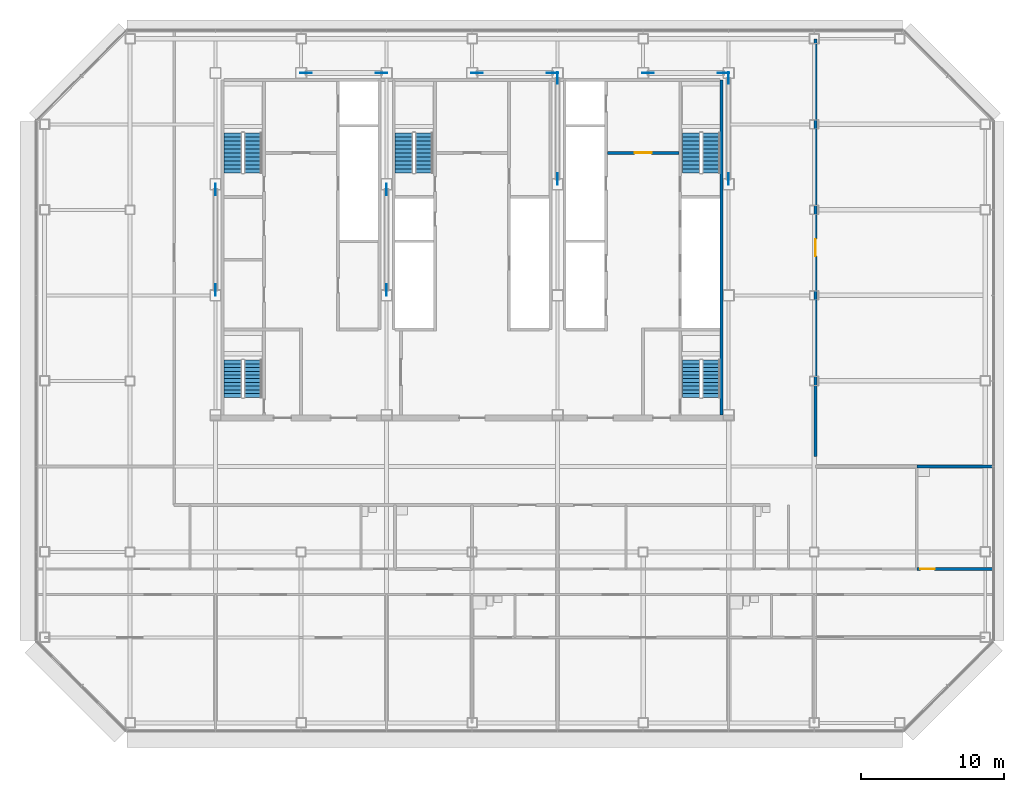
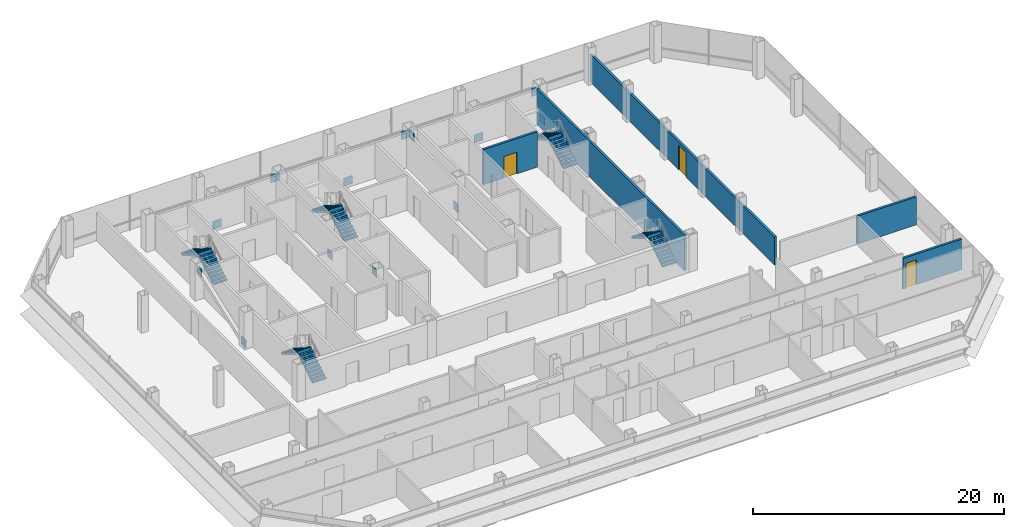
# One storey, part 22 of 24: 14 discrete accessories, 10 stair flights, 5 walls, 3 doors, 3 openings, 5 elements without a shape of their own.
"""IFC4 building model written with IfcOpenShell, lengths in metres."""

from ifc_helpers import new_model, si_unit, direction, frame, frame_2d, origin, origin_2d, place, context, subcontext, project, spatial, polyline, rectangle, outline, extrude, material, layer, layer_set, type_object, element, fill, aggregate, save


model = new_model("IFC4")

# Units and contexts
model_context = context("Model", 3, precision=1e-05, world=origin(), true_north=direction((0.0, 1.0)))
body_context = subcontext(model_context, "Body", "Model", "MODEL_VIEW")
ifc_project = project(units=[si_unit("LENGTHUNIT", "METRE"), si_unit("AREAUNIT", "SQUARE_METRE"), si_unit("VOLUMEUNIT", "CUBIC_METRE"), si_unit("PLANEANGLEUNIT", "RADIAN"), si_unit("MASSUNIT", "GRAM", prefix="KILO")], contexts=[model_context])

# Site, building, storey
site_placement = place(None, origin())
site = spatial("IfcSite", under=ifc_project, at=site_placement, CompositionType="ELEMENT")
building_placement = place(site_placement, origin())
building = spatial("IfcBuilding", under=site, at=building_placement, Name="Sorahane Residences", CompositionType="ELEMENT")
storey_placement = place(building_placement, frame((0.0, 0.0, 174.39990234375)))
storey = spatial("IfcBuildingStorey", under=building, at=storey_placement, Name="L40", CompositionType="ELEMENT", Elevation=174.39990234375)

# Wall
ifc_material_1 = material(Name="Concrete C30", Category="concrete")
ifc_layer_1 = layer(ifc_material_1, 0.199951171875)
ifc_layer_set_1 = layer_set([ifc_layer_1], Name="Core face wall 200 EI 180")
wall_type_1 = type_object("IfcWallType", Name="Core face wall 200 EI 180", PredefinedType="SOLIDWALL", material=ifc_layer_set_1)
wall_1_placement = place(storey_placement, frame((41.5, 21.60009765625, 0.0), z_axis=(0.0, 0.0, 1.0), x_axis=(0.0, 1.0, 0.0)))
element("IfcWall", 1, at=wall_1_placement, inside=storey, type_object=wall_type_1, Name="L40 core face wall", PredefinedType="SOLIDWALL", context=body_context, shape_type="SweptSolid", body=[
    extrude(rectangle(XDim=23.5, YDim=0.199951171875, at=frame_2d((11.75, 0.0))), origin(), (0.0, 0.0, 1.0), 3.420166015625),
])

# Wall, opening, door
ifc_material_2 = material(Name="Concrete blockwork C20 wall", Category="masonry")
ifc_layer_2 = layer(ifc_material_2, 0.199951171875)
ifc_layer_set_2 = layer_set([ifc_layer_2], Name="Corridor wall 200 EI 120")
wall_type_2 = type_object("IfcWallType", Name="Corridor wall 200 EI 120", PredefinedType="SOLIDWALL", material=ifc_layer_set_2)
wall_2_placement = place(storey_placement, frame((48.10009765625, 18.699951171875, 0.0), z_axis=(0.0, 0.0, 1.0), x_axis=(0.0, 1.0, 0.0)))
wall_2 = element("IfcWall", 2, at=wall_2_placement, inside=storey, type_object=wall_type_2, Name="L40 corridor wall", PredefinedType="SOLIDWALL", context=body_context, shape_type="SweptSolid", body=[
    extrude(rectangle(XDim=29.300048828125, YDim=0.199951171875, at=frame_2d((14.64990234375, 0.0))), origin(), (0.0, 0.0, 1.0), 2.72021484375),
])
opening_1_placement = place(wall_2_placement, frame((14.050048828125, 0.0, 0.0)))
opening_1 = element("IfcOpeningElement", 3, at=opening_1_placement, cuts=wall_2, Name="Opening L40-29", PredefinedType="OPENING", context=body_context, shape_type="SweptSolid", body=[
    extrude(rectangle(XDim=1.199951171875, YDim=2.39990234375, at=frame_2d((0.60009765625, 1.199951171875))), frame((0.0, 0.10986328125, 0.0), z_axis=(0.0, -1.0, 0.0), x_axis=(1.0, 0.0, 0.0)), (0.0, 0.0, 1.0), 0.219970703125),
])
ifc_material_3 = material(Name="Steel", Category="steel")
door_type_1 = type_object("IfcDoorType", Name="Lobby door 1200x2400 FD60", OperationType="NOTDEFINED", PredefinedType="DOOR", material=ifc_material_3)
door_1_placement = place(opening_1_placement, frame((1.199951171875, 0.0, 0.0), z_axis=(0.0, 0.0, 1.0), x_axis=(-1.0, 0.0, 0.0)))
door_1 = element("IfcDoor", 4, at=door_1_placement, inside=storey, type_object=door_type_1, Name="Lobby door L40-29", OperationType="SINGLE_SWING_RIGHT", OverallHeight=2.39990234375, OverallWidth=1.199951171875, PredefinedType="DOOR", context=body_context, shape_type="SweptSolid", body=[
    extrude(rectangle(XDim=1.199951171875, YDim=2.39990234375, at=frame_2d((0.60009765625, 1.199951171875))), frame((0.0, 0.02490234375, 0.0), z_axis=(0.0, -1.0, 0.0), x_axis=(1.0, 0.0, 0.0)), (0.0, 0.0, 1.0), 0.050048828125),
])
fill(opening_1, door_1)

ifc_material_4 = material(Name="Concrete C30", Category="concrete")
ifc_layer_3 = layer(ifc_material_4, 0.199951171875)
ifc_layer_set_3 = layer_set([ifc_layer_3], Name="Front room wall 200 EI 120")
wall_type_3 = type_object("IfcWallType", Name="Front room wall 200 EI 120", PredefinedType="PARTITIONING", material=ifc_layer_set_3)
wall_3_placement = place(storey_placement, frame((33.5, 40.0, 0.0), z_axis=(0.0, 0.0, 1.0), x_axis=(1.0, 0.0, 0.0)))
wall_3 = element("IfcWall", 5, at=wall_3_placement, inside=storey, type_object=wall_type_3, Name="L40 front room wall", PredefinedType="PARTITIONING", context=body_context, shape_type="SweptSolid", body=[
    extrude(rectangle(XDim=5.0, YDim=0.199951171875, at=frame_2d((2.5, 0.0))), origin(), (0.0, 0.0, 1.0), 3.420166015625),
])
opening_2_placement = place(wall_3_placement, frame((1.89990234375, 0.0, 0.0)))
opening_2 = element("IfcOpeningElement", 6, at=opening_2_placement, cuts=wall_3, Name="Opening L40-C09", PredefinedType="OPENING", context=body_context, shape_type="SweptSolid", body=[
    extrude(rectangle(XDim=1.199951171875, YDim=2.10009765625, at=frame_2d((0.60009765625, 1.050048828125))), frame((0.0, 0.10986328125, 0.0), z_axis=(0.0, -1.0, 0.0), x_axis=(1.0, 0.0, 0.0)), (0.0, 0.0, 1.0), 0.219970703125),
])
ifc_material_5 = material(Name="Steel", Category="steel")
door_type_2 = type_object("IfcDoorType", Name="Front room door 1200x2100 FD120", OperationType="NOTDEFINED", PredefinedType="DOOR", material=ifc_material_5)
door_2_placement = place(opening_2_placement, frame((1.199951171875, 0.0, 0.0), z_axis=(0.0, 0.0, 1.0), x_axis=(-1.0, 0.0, 0.0)))
door_2 = element("IfcDoor", 7, at=door_2_placement, inside=storey, type_object=door_type_2, Name="Front room door Firefighting lobby FF2 front room L40", OperationType="DOUBLE_DOOR_SINGLE_SWING", OverallHeight=2.10009765625, OverallWidth=1.199951171875, PredefinedType="DOOR", context=body_context, shape_type="SweptSolid", body=[
    extrude(rectangle(XDim=1.199951171875, YDim=2.10009765625, at=frame_2d((0.60009765625, 1.050048828125))), frame((0.0, 0.02490234375, 0.0), z_axis=(0.0, -1.0, 0.0), x_axis=(1.0, 0.0, 0.0)), (0.0, 0.0, 1.0), 0.050048828125),
])
fill(opening_2, door_2)

ifc_material_6 = material(Name="Concrete blockwork C20 wall", Category="masonry")
ifc_layer_4 = layer(ifc_material_6, 0.199951171875)
ifc_layer_set_4 = layer_set([ifc_layer_4], Name="Kitchen wall 200 EI 180")
wall_type_4 = type_object("IfcWallType", Name="Kitchen wall 200 EI 180", PredefinedType="SOLIDWALL", material=ifc_layer_set_4)
wall_4_placement = place(storey_placement, frame((55.199951171875, 10.800048828125, 0.0), z_axis=(0.0, 0.0, 1.0), x_axis=(1.0, 0.0, 0.0)))
wall_4 = element("IfcWall", 8, at=wall_4_placement, inside=storey, type_object=wall_type_4, Name="L40 kitchen wall", PredefinedType="SOLIDWALL", context=body_context, shape_type="SweptSolid", body=[
    extrude(rectangle(XDim=5.400146484375, YDim=0.199951171875, at=frame_2d((2.7001953125, 0.0))), origin(), (0.0, 0.0, 1.0), 2.97021484375),
])
opening_3_placement = place(wall_4_placement, frame((0.25, 0.0, 0.0)))
opening_3 = element("IfcOpeningElement", 9, at=opening_3_placement, cuts=wall_4, Name="Opening L40-18", PredefinedType="OPENING", context=body_context, shape_type="SweptSolid", body=[
    extrude(rectangle(XDim=1.0, YDim=2.39990234375, at=frame_2d((0.5, 1.199951171875))), frame((0.0, 0.10986328125, 0.0), z_axis=(0.0, -1.0, 0.0), x_axis=(1.0, 0.0, 0.0)), (0.0, 0.0, 1.0), 0.219970703125),
])
ifc_material_7 = material(Name="Steel", Category="steel")
door_type_3 = type_object("IfcDoorType", Name="Kitchen door 1000x2400 FD120", OperationType="NOTDEFINED", PredefinedType="DOOR", material=ifc_material_7)
door_3_placement = place(opening_3_placement, origin())
door_3 = element("IfcDoor", 10, at=door_3_placement, inside=storey, type_object=door_type_3, Name="Kitchen door L40-18", OperationType="SINGLE_SWING_RIGHT", OverallHeight=2.39990234375, OverallWidth=1.0, PredefinedType="DOOR", context=body_context, shape_type="SweptSolid", body=[
    extrude(rectangle(XDim=1.0, YDim=2.39990234375, at=frame_2d((0.5, 1.199951171875))), frame((0.0, 0.02490234375, 0.0), z_axis=(0.0, -1.0, 0.0), x_axis=(1.0, 0.0, 0.0)), (0.0, 0.0, 1.0), 0.050048828125),
])
fill(opening_3, door_3)

# Wall
wall_5_placement = place(storey_placement, frame((55.199951171875, 18.0, 0.0), z_axis=(0.0, 0.0, 1.0), x_axis=(1.0, 0.0, 0.0)))
element("IfcWall", 11, at=wall_5_placement, inside=storey, type_object=wall_type_4, Name="L40 kitchen wall", PredefinedType="SOLIDWALL", context=body_context, shape_type="SweptSolid", body=[
    extrude(rectangle(XDim=5.400146484375, YDim=0.199951171875, at=frame_2d((2.7001953125, 0.0))), origin(), (0.0, 0.0, 1.0), 2.72021484375),
])

# Stair, stair flights
ifc_material_8 = material(Name="Concrete C40", Category="concrete")
stair_type = type_object("IfcStairType", Name="Dog-leg stair 1250 Concrete C40", PredefinedType="HALF_TURN_STAIR", material=ifc_material_8)
stair_1_placement = place(storey_placement, origin())
stair_1 = element("IfcStair", 12, at=stair_1_placement, inside=storey, type_object=stair_type, Name="L40 Stair S1", PredefinedType="HALF_TURN_STAIR")
ifc_material_9 = material(Name="Concrete C40", Category="concrete")
stair_flight_type = type_object("IfcStairFlightType", Name="Stair flight 1250 Concrete C40", PredefinedType="STRAIGHT", material=ifc_material_9)
stair_flight_1_placement = place(storey_placement, frame((8.625, 38.60009765625, 0.0), z_axis=(0.0, 0.0, 1.0), x_axis=(0.0, 1.0, 0.0)))
stair_flight_1 = element("IfcStairFlight", 13, at=stair_flight_1_placement, type_object=stair_flight_type, Name="S1 flight 1", NumberOfRisers=11, NumberOfTreads=10, PredefinedType="STRAIGHT", RiserHeight=0.163636364, TreadLength=0.28, context=body_context, shape_type="SweptSolid", body=[
    extrude(outline(polyline([(-0.00146484375, 0.0), (-0.00146484375, 0.16357421875), (0.0, 0.16357421875), (0.280029296875, 0.16357421875), (0.280029296875, 0.327392578125), (0.56005859375, 0.327392578125), (0.56005859375, 0.490966796875), (0.840087890625, 0.490966796875), (0.840087890625, 0.654541015625), (1.1201171875, 0.654541015625), (1.1201171875, 0.818115234375), (1.39990234375, 0.818115234375), (1.39990234375, 0.98193359375), (1.679931640625, 0.98193359375), (1.679931640625, 1.1455078125), (1.9599609375, 1.1455078125), (1.9599609375, 1.30908203125), (2.239990234375, 1.30908203125), (2.239990234375, 1.47265625), (2.52001953125, 1.47265625), (2.52001953125, 1.636474609375), (2.800048828125, 1.636474609375), (2.800048828125, 1.800048828125), (2.800048828125, 1.462646484375), (2.59130859375, 1.3408203125), (2.3828125, 1.218994140625), (2.17431640625, 1.09716796875), (1.965576171875, 0.97509765625), (1.757080078125, 0.853271484375), (1.548583984375, 0.7314453125), (1.340087890625, 0.609375), (1.13134765625, 0.487548828125), (0.9228515625, 0.36572265625), (0.71435546875, 0.243896484375), (0.505615234375, 0.121826171875), (0.297119140625, 0.0), (-0.00146484375, 0.0)])), frame((0.0, 0.625, 0.0), z_axis=(0.0, -1.0, 0.0), x_axis=(1.0, 0.0, 0.0)), (0.0, 0.0, 1.0), 1.25),
])
stair_flight_2_placement = place(storey_placement, frame((7.22509765625, 41.39990234375, 1.800048828125), z_axis=(0.0, 0.0, 1.0), x_axis=(0.0, -1.0, 0.0)))
stair_flight_2 = element("IfcStairFlight", 14, at=stair_flight_2_placement, type_object=stair_flight_type, Name="S1 flight 2", NumberOfRisers=11, NumberOfTreads=10, PredefinedType="STRAIGHT", RiserHeight=0.163636364, TreadLength=0.28, context=body_context, shape_type="SweptSolid", body=[
    extrude(outline(polyline([(0.0, 0.0), (0.0, 0.16357421875), (0.280029296875, 0.16357421875), (0.280029296875, 0.327392578125), (0.56005859375, 0.327392578125), (0.56005859375, 0.490966796875), (0.840087890625, 0.490966796875), (0.840087890625, 0.654541015625), (1.1201171875, 0.654541015625), (1.1201171875, 0.818115234375), (1.39990234375, 0.818115234375), (1.39990234375, 0.98193359375), (1.679931640625, 0.98193359375), (1.679931640625, 1.1455078125), (1.9599609375, 1.1455078125), (1.9599609375, 1.30908203125), (2.239990234375, 1.30908203125), (2.239990234375, 1.47265625), (2.52001953125, 1.47265625), (2.52001953125, 1.636474609375), (2.800048828125, 1.636474609375), (2.800048828125, 1.800048828125), (2.801513671875, 1.800048828125), (2.801513671875, 1.462646484375), (2.5927734375, 1.3408203125), (2.384033203125, 1.218994140625), (2.17529296875, 1.09716796875), (1.966796875, 0.97509765625), (1.758056640625, 0.853271484375), (1.54931640625, 0.7314453125), (1.340576171875, 0.609375), (1.1318359375, 0.487548828125), (0.923095703125, 0.36572265625), (0.714599609375, 0.243896484375), (0.505859375, 0.121826171875), (0.297119140625, 0.0), (0.0, 0.0)])), frame((0.0, 0.625, 0.0), z_axis=(0.0, -1.0, 0.0), x_axis=(1.0, 0.0, 0.0)), (0.0, 0.0, 1.0), 1.25),
])
aggregate(stair_1, [stair_flight_1, stair_flight_2])

stair_2_placement = place(storey_placement, origin())
stair_2 = element("IfcStair", 15, at=stair_2_placement, inside=storey, type_object=stair_type, Name="L40 Stair S2", PredefinedType="HALF_TURN_STAIR")
stair_flight_3_placement = place(storey_placement, frame((40.77490234375, 38.60009765625, 0.0), z_axis=(0.0, 0.0, 1.0), x_axis=(0.0, 1.0, 0.0)))
stair_flight_3 = element("IfcStairFlight", 16, at=stair_flight_3_placement, type_object=stair_flight_type, Name="S2 flight 1", NumberOfRisers=11, NumberOfTreads=10, PredefinedType="STRAIGHT", RiserHeight=0.163636364, TreadLength=0.28, context=body_context, shape_type="SweptSolid", body=[
    extrude(outline(polyline([(-0.00146484375, 0.0), (-0.00146484375, 0.16357421875), (0.0, 0.16357421875), (0.280029296875, 0.16357421875), (0.280029296875, 0.327392578125), (0.56005859375, 0.327392578125), (0.56005859375, 0.490966796875), (0.840087890625, 0.490966796875), (0.840087890625, 0.654541015625), (1.1201171875, 0.654541015625), (1.1201171875, 0.818115234375), (1.39990234375, 0.818115234375), (1.39990234375, 0.98193359375), (1.679931640625, 0.98193359375), (1.679931640625, 1.1455078125), (1.9599609375, 1.1455078125), (1.9599609375, 1.30908203125), (2.239990234375, 1.30908203125), (2.239990234375, 1.47265625), (2.52001953125, 1.47265625), (2.52001953125, 1.636474609375), (2.800048828125, 1.636474609375), (2.800048828125, 1.800048828125), (2.800048828125, 1.462646484375), (2.59130859375, 1.3408203125), (2.3828125, 1.218994140625), (2.17431640625, 1.09716796875), (1.965576171875, 0.97509765625), (1.757080078125, 0.853271484375), (1.548583984375, 0.7314453125), (1.340087890625, 0.609375), (1.13134765625, 0.487548828125), (0.9228515625, 0.36572265625), (0.71435546875, 0.243896484375), (0.505615234375, 0.121826171875), (0.297119140625, 0.0), (-0.00146484375, 0.0)])), frame((0.0, 0.625, 0.0), z_axis=(0.0, -1.0, 0.0), x_axis=(1.0, 0.0, 0.0)), (0.0, 0.0, 1.0), 1.25),
])
stair_flight_4_placement = place(storey_placement, frame((39.375, 41.39990234375, 1.800048828125), z_axis=(0.0, 0.0, 1.0), x_axis=(0.0, -1.0, 0.0)))
stair_flight_4 = element("IfcStairFlight", 17, at=stair_flight_4_placement, type_object=stair_flight_type, Name="S2 flight 2", NumberOfRisers=11, NumberOfTreads=10, PredefinedType="STRAIGHT", RiserHeight=0.163636364, TreadLength=0.28, context=body_context, shape_type="SweptSolid", body=[
    extrude(outline(polyline([(0.0, 0.0), (0.0, 0.16357421875), (0.280029296875, 0.16357421875), (0.280029296875, 0.327392578125), (0.56005859375, 0.327392578125), (0.56005859375, 0.490966796875), (0.840087890625, 0.490966796875), (0.840087890625, 0.654541015625), (1.1201171875, 0.654541015625), (1.1201171875, 0.818115234375), (1.39990234375, 0.818115234375), (1.39990234375, 0.98193359375), (1.679931640625, 0.98193359375), (1.679931640625, 1.1455078125), (1.9599609375, 1.1455078125), (1.9599609375, 1.30908203125), (2.239990234375, 1.30908203125), (2.239990234375, 1.47265625), (2.52001953125, 1.47265625), (2.52001953125, 1.636474609375), (2.800048828125, 1.636474609375), (2.800048828125, 1.800048828125), (2.801513671875, 1.800048828125), (2.801513671875, 1.462646484375), (2.5927734375, 1.3408203125), (2.384033203125, 1.218994140625), (2.17529296875, 1.09716796875), (1.966796875, 0.97509765625), (1.758056640625, 0.853271484375), (1.54931640625, 0.7314453125), (1.340576171875, 0.609375), (1.1318359375, 0.487548828125), (0.923095703125, 0.36572265625), (0.714599609375, 0.243896484375), (0.505859375, 0.121826171875), (0.297119140625, 0.0), (0.0, 0.0)])), frame((0.0, 0.625, 0.0), z_axis=(0.0, -1.0, 0.0), x_axis=(1.0, 0.0, 0.0)), (0.0, 0.0, 1.0), 1.25),
])
aggregate(stair_2, [stair_flight_3, stair_flight_4])

stair_3_placement = place(storey_placement, origin())
stair_3 = element("IfcStair", 18, at=stair_3_placement, inside=storey, type_object=stair_type, Name="L40 Stair S3", PredefinedType="HALF_TURN_STAIR")
stair_flight_5_placement = place(storey_placement, frame((20.625, 38.60009765625, 0.0), z_axis=(0.0, 0.0, 1.0), x_axis=(0.0, 1.0, 0.0)))
stair_flight_5 = element("IfcStairFlight", 19, at=stair_flight_5_placement, type_object=stair_flight_type, Name="S3 flight 1", NumberOfRisers=11, NumberOfTreads=10, PredefinedType="STRAIGHT", RiserHeight=0.163636364, TreadLength=0.28, context=body_context, shape_type="SweptSolid", body=[
    extrude(outline(polyline([(-0.00146484375, 0.0), (-0.00146484375, 0.16357421875), (0.0, 0.16357421875), (0.280029296875, 0.16357421875), (0.280029296875, 0.327392578125), (0.56005859375, 0.327392578125), (0.56005859375, 0.490966796875), (0.840087890625, 0.490966796875), (0.840087890625, 0.654541015625), (1.1201171875, 0.654541015625), (1.1201171875, 0.818115234375), (1.39990234375, 0.818115234375), (1.39990234375, 0.98193359375), (1.679931640625, 0.98193359375), (1.679931640625, 1.1455078125), (1.9599609375, 1.1455078125), (1.9599609375, 1.30908203125), (2.239990234375, 1.30908203125), (2.239990234375, 1.47265625), (2.52001953125, 1.47265625), (2.52001953125, 1.636474609375), (2.800048828125, 1.636474609375), (2.800048828125, 1.800048828125), (2.800048828125, 1.462646484375), (2.59130859375, 1.3408203125), (2.3828125, 1.218994140625), (2.17431640625, 1.09716796875), (1.965576171875, 0.97509765625), (1.757080078125, 0.853271484375), (1.548583984375, 0.7314453125), (1.340087890625, 0.609375), (1.13134765625, 0.487548828125), (0.9228515625, 0.36572265625), (0.71435546875, 0.243896484375), (0.505615234375, 0.121826171875), (0.297119140625, 0.0), (-0.00146484375, 0.0)])), frame((0.0, 0.625, 0.0), z_axis=(0.0, -1.0, 0.0), x_axis=(1.0, 0.0, 0.0)), (0.0, 0.0, 1.0), 1.25),
])
stair_flight_6_placement = place(storey_placement, frame((19.22509765625, 41.39990234375, 1.800048828125), z_axis=(0.0, 0.0, 1.0), x_axis=(0.0, -1.0, 0.0)))
stair_flight_6 = element("IfcStairFlight", 20, at=stair_flight_6_placement, type_object=stair_flight_type, Name="S3 flight 2", NumberOfRisers=11, NumberOfTreads=10, PredefinedType="STRAIGHT", RiserHeight=0.163636364, TreadLength=0.28, context=body_context, shape_type="SweptSolid", body=[
    extrude(outline(polyline([(0.0, 0.0), (0.0, 0.16357421875), (0.280029296875, 0.16357421875), (0.280029296875, 0.327392578125), (0.56005859375, 0.327392578125), (0.56005859375, 0.490966796875), (0.840087890625, 0.490966796875), (0.840087890625, 0.654541015625), (1.1201171875, 0.654541015625), (1.1201171875, 0.818115234375), (1.39990234375, 0.818115234375), (1.39990234375, 0.98193359375), (1.679931640625, 0.98193359375), (1.679931640625, 1.1455078125), (1.9599609375, 1.1455078125), (1.9599609375, 1.30908203125), (2.239990234375, 1.30908203125), (2.239990234375, 1.47265625), (2.52001953125, 1.47265625), (2.52001953125, 1.636474609375), (2.800048828125, 1.636474609375), (2.800048828125, 1.800048828125), (2.801513671875, 1.800048828125), (2.801513671875, 1.462646484375), (2.5927734375, 1.3408203125), (2.384033203125, 1.218994140625), (2.17529296875, 1.09716796875), (1.966796875, 0.97509765625), (1.758056640625, 0.853271484375), (1.54931640625, 0.7314453125), (1.340576171875, 0.609375), (1.1318359375, 0.487548828125), (0.923095703125, 0.36572265625), (0.714599609375, 0.243896484375), (0.505859375, 0.121826171875), (0.297119140625, 0.0), (0.0, 0.0)])), frame((0.0, 0.625, 0.0), z_axis=(0.0, -1.0, 0.0), x_axis=(1.0, 0.0, 0.0)), (0.0, 0.0, 1.0), 1.25),
])
aggregate(stair_3, [stair_flight_5, stair_flight_6])

stair_4_placement = place(storey_placement, origin())
stair_4 = element("IfcStair", 21, at=stair_4_placement, inside=storey, type_object=stair_type, Name="L40 Stair S4", PredefinedType="HALF_TURN_STAIR")
stair_flight_7_placement = place(storey_placement, frame((8.625, 22.85009765625, 0.0), z_axis=(0.0, 0.0, 1.0), x_axis=(0.0, 1.0, 0.0)))
stair_flight_7 = element("IfcStairFlight", 22, at=stair_flight_7_placement, type_object=stair_flight_type, Name="S4 flight 1", NumberOfRisers=11, NumberOfTreads=10, PredefinedType="STRAIGHT", RiserHeight=0.163636364, TreadLength=0.26, context=body_context, shape_type="SweptSolid", body=[
    extrude(outline(polyline([(-0.00146484375, 0.0), (-0.00146484375, 0.16357421875), (0.0, 0.16357421875), (0.260009765625, 0.16357421875), (0.260009765625, 0.327392578125), (0.52001953125, 0.327392578125), (0.52001953125, 0.490966796875), (0.780029296875, 0.490966796875), (0.780029296875, 0.654541015625), (1.0400390625, 0.654541015625), (1.0400390625, 0.818115234375), (1.300048828125, 0.818115234375), (1.300048828125, 0.98193359375), (1.56005859375, 0.98193359375), (1.56005859375, 1.1455078125), (1.820068359375, 1.1455078125), (1.820068359375, 1.30908203125), (2.080078125, 1.30908203125), (2.080078125, 1.47265625), (2.340087890625, 1.47265625), (2.340087890625, 1.636474609375), (2.60009765625, 1.636474609375), (2.60009765625, 1.800048828125), (2.60009765625, 1.494384765625), (2.402099609375, 1.369873046875), (2.204345703125, 1.245361328125), (2.00634765625, 1.120849609375), (1.80859375, 0.996337890625), (1.610595703125, 0.871826171875), (1.412841796875, 0.747314453125), (1.21484375, 0.622802734375), (1.01708984375, 0.498046875), (0.819091796875, 0.37353515625), (0.621337890625, 0.2490234375), (0.42333984375, 0.12451171875), (0.2255859375, 0.0), (-0.00146484375, 0.0)])), frame((0.0, 0.625, 0.0), z_axis=(0.0, -1.0, 0.0), x_axis=(1.0, 0.0, 0.0)), (0.0, 0.0, 1.0), 1.25),
])
stair_flight_8_placement = place(storey_placement, frame((7.22509765625, 25.449951171875, 1.800048828125), z_axis=(0.0, 0.0, 1.0), x_axis=(0.0, -1.0, 0.0)))
stair_flight_8 = element("IfcStairFlight", 23, at=stair_flight_8_placement, type_object=stair_flight_type, Name="S4 flight 2", NumberOfRisers=11, NumberOfTreads=10, PredefinedType="STRAIGHT", RiserHeight=0.163636364, TreadLength=0.26, context=body_context, shape_type="SweptSolid", body=[
    extrude(outline(polyline([(0.0, 0.0), (0.0, 0.16357421875), (0.260009765625, 0.16357421875), (0.260009765625, 0.327392578125), (0.52001953125, 0.327392578125), (0.52001953125, 0.490966796875), (0.780029296875, 0.490966796875), (0.780029296875, 0.654541015625), (1.0400390625, 0.654541015625), (1.0400390625, 0.818115234375), (1.300048828125, 0.818115234375), (1.300048828125, 0.98193359375), (1.56005859375, 0.98193359375), (1.56005859375, 1.1455078125), (1.820068359375, 1.1455078125), (1.820068359375, 1.30908203125), (2.080078125, 1.30908203125), (2.080078125, 1.47265625), (2.340087890625, 1.47265625), (2.340087890625, 1.636474609375), (2.60009765625, 1.636474609375), (2.60009765625, 1.800048828125), (2.6015625, 1.800048828125), (2.6015625, 1.494384765625), (2.403564453125, 1.369873046875), (2.20556640625, 1.245361328125), (2.007568359375, 1.120849609375), (1.8095703125, 0.996337890625), (1.611572265625, 0.871826171875), (1.41357421875, 0.747314453125), (1.215576171875, 0.622802734375), (1.017578125, 0.498046875), (0.819580078125, 0.37353515625), (0.62158203125, 0.2490234375), (0.423583984375, 0.12451171875), (0.2255859375, 0.0), (0.0, 0.0)])), frame((0.0, 0.625, 0.0), z_axis=(0.0, -1.0, 0.0), x_axis=(1.0, 0.0, 0.0)), (0.0, 0.0, 1.0), 1.25),
])
aggregate(stair_4, [stair_flight_7, stair_flight_8])

stair_5_placement = place(storey_placement, origin())
stair_5 = element("IfcStair", 24, at=stair_5_placement, inside=storey, type_object=stair_type, Name="L40 Stair S5", PredefinedType="HALF_TURN_STAIR")
stair_flight_9_placement = place(storey_placement, frame((40.77490234375, 22.85009765625, 0.0), z_axis=(0.0, 0.0, 1.0), x_axis=(0.0, 1.0, 0.0)))
stair_flight_9 = element("IfcStairFlight", 25, at=stair_flight_9_placement, type_object=stair_flight_type, Name="S5 flight 1", NumberOfRisers=11, NumberOfTreads=10, PredefinedType="STRAIGHT", RiserHeight=0.163636364, TreadLength=0.26, context=body_context, shape_type="SweptSolid", body=[
    extrude(outline(polyline([(-0.00146484375, 0.0), (-0.00146484375, 0.16357421875), (0.0, 0.16357421875), (0.260009765625, 0.16357421875), (0.260009765625, 0.327392578125), (0.52001953125, 0.327392578125), (0.52001953125, 0.490966796875), (0.780029296875, 0.490966796875), (0.780029296875, 0.654541015625), (1.0400390625, 0.654541015625), (1.0400390625, 0.818115234375), (1.300048828125, 0.818115234375), (1.300048828125, 0.98193359375), (1.56005859375, 0.98193359375), (1.56005859375, 1.1455078125), (1.820068359375, 1.1455078125), (1.820068359375, 1.30908203125), (2.080078125, 1.30908203125), (2.080078125, 1.47265625), (2.340087890625, 1.47265625), (2.340087890625, 1.636474609375), (2.60009765625, 1.636474609375), (2.60009765625, 1.800048828125), (2.60009765625, 1.494384765625), (2.402099609375, 1.369873046875), (2.204345703125, 1.245361328125), (2.00634765625, 1.120849609375), (1.80859375, 0.996337890625), (1.610595703125, 0.871826171875), (1.412841796875, 0.747314453125), (1.21484375, 0.622802734375), (1.01708984375, 0.498046875), (0.819091796875, 0.37353515625), (0.621337890625, 0.2490234375), (0.42333984375, 0.12451171875), (0.2255859375, 0.0), (-0.00146484375, 0.0)])), frame((0.0, 0.625, 0.0), z_axis=(0.0, -1.0, 0.0), x_axis=(1.0, 0.0, 0.0)), (0.0, 0.0, 1.0), 1.25),
])
stair_flight_10_placement = place(storey_placement, frame((39.375, 25.449951171875, 1.800048828125), z_axis=(0.0, 0.0, 1.0), x_axis=(0.0, -1.0, 0.0)))
stair_flight_10 = element("IfcStairFlight", 26, at=stair_flight_10_placement, type_object=stair_flight_type, Name="S5 flight 2", NumberOfRisers=11, NumberOfTreads=10, PredefinedType="STRAIGHT", RiserHeight=0.163636364, TreadLength=0.26, context=body_context, shape_type="SweptSolid", body=[
    extrude(outline(polyline([(0.0, 0.0), (0.0, 0.16357421875), (0.260009765625, 0.16357421875), (0.260009765625, 0.327392578125), (0.52001953125, 0.327392578125), (0.52001953125, 0.490966796875), (0.780029296875, 0.490966796875), (0.780029296875, 0.654541015625), (1.0400390625, 0.654541015625), (1.0400390625, 0.818115234375), (1.300048828125, 0.818115234375), (1.300048828125, 0.98193359375), (1.56005859375, 0.98193359375), (1.56005859375, 1.1455078125), (1.820068359375, 1.1455078125), (1.820068359375, 1.30908203125), (2.080078125, 1.30908203125), (2.080078125, 1.47265625), (2.340087890625, 1.47265625), (2.340087890625, 1.636474609375), (2.60009765625, 1.636474609375), (2.60009765625, 1.800048828125), (2.6015625, 1.800048828125), (2.6015625, 1.494384765625), (2.403564453125, 1.369873046875), (2.20556640625, 1.245361328125), (2.007568359375, 1.120849609375), (1.8095703125, 0.996337890625), (1.611572265625, 0.871826171875), (1.41357421875, 0.747314453125), (1.215576171875, 0.622802734375), (1.017578125, 0.498046875), (0.819580078125, 0.37353515625), (0.62158203125, 0.2490234375), (0.423583984375, 0.12451171875), (0.2255859375, 0.0), (0.0, 0.0)])), frame((0.0, 0.625, 0.0), z_axis=(0.0, -1.0, 0.0), x_axis=(1.0, 0.0, 0.0)), (0.0, 0.0, 1.0), 1.25),
])
aggregate(stair_5, [stair_flight_9, stair_flight_10])

# Discrete accessories
ifc_material_10 = material(Name="Steel Q355B", Category="steel")
ifc_layer_5 = layer(ifc_material_10, 0.02490234375)
ifc_layer_set_5 = layer_set([ifc_layer_5], Name="Node plate Steel Q355B 25")
discrete_accessory_type = type_object("IfcDiscreteAccessoryType", Name="Node plate Steel Q355B 25", PredefinedType="BRACKET", material=ifc_layer_set_5)
for number, where, z_axis, x_axis, name in (
    (27, (6.0, 30.36328125, -0.23876953125), (0.0, 0.0, 1.0), (0.0, 1.0, 0.0), "Node plate L40 br"),
    (28, (6.0, 37.436767578125, 2.40869140625), (0.0, 0.0, 1.0), (0.0, 1.0, 0.0), "Node plate L40 br"),
    (29, (18.0, 37.436767578125, -0.23876953125), (0.0, 0.0, 1.0), (0.0, 1.0, 0.0), "Node plate L40 br"),
    (30, (18.0, 30.36328125, 2.40869140625), (0.0, 0.0, 1.0), (0.0, 1.0, 0.0), "Node plate L40 br"),
    (31, (30.0, 38.1630859375, -0.23876953125), (0.0, 0.0, 1.0), (0.0, 1.0, 0.0), "Node plate L40 br"),
    (32, (30.0, 45.23681640625, 2.40869140625), (0.0, 0.0, 1.0), (0.0, 1.0, 0.0), "Node plate L40 br"),
    (33, (42.0, 45.23681640625, -0.23876953125), (0.0, 0.0, 1.0), (0.0, 1.0, 0.0), "Node plate L40 br"),
    (34, (42.0, 38.1630859375, 2.40869140625), (0.0, 0.0, 1.0), (0.0, 1.0, 0.0), "Node plate L40 br"),
    (35, (12.352783203125, 45.60009765625, -0.24853515625), (0.0, 0.0, 1.0), (1.0, 0.0, 0.0), "Node plate L40 br"),
    (36, (24.352783203125, 45.60009765625, -0.24853515625), (0.0, 0.0, 1.0), (1.0, 0.0, 0.0), "Node plate L40 br"),
    (37, (36.352783203125, 45.60009765625, -0.24853515625), (0.0, 0.0, 1.0), (1.0, 0.0, 0.0), "Node plate L40 br"),
    (38, (17.647216796875, 45.60009765625, 2.4189453125), (0.0, 0.0, 1.0), (1.0, 0.0, 0.0), "Node plate L40 br"),
    (39, (29.647216796875, 45.60009765625, 2.4189453125), (0.0, 0.0, 1.0), (1.0, 0.0, 0.0), "Node plate L40 br"),
    (40, (41.647216796875, 45.60009765625, 2.4189453125), (0.0, 0.0, 1.0), (1.0, 0.0, 0.0), "Node plate L40 br"),
):
    element("IfcDiscreteAccessory", number, at=place(storey_placement, frame(where, z_axis=z_axis, x_axis=x_axis)), inside=storey, type_object=discrete_accessory_type, Name=name, PredefinedType="BRACKET", context=body_context, shape_type="SweptSolid", body=[
        extrude(rectangle(XDim=0.800048828125, YDim=0.02490234375, at=origin_2d()), origin(), (0.0, 0.0, 1.0), 0.800048828125),
    ])

save(model, "model.ifc")
